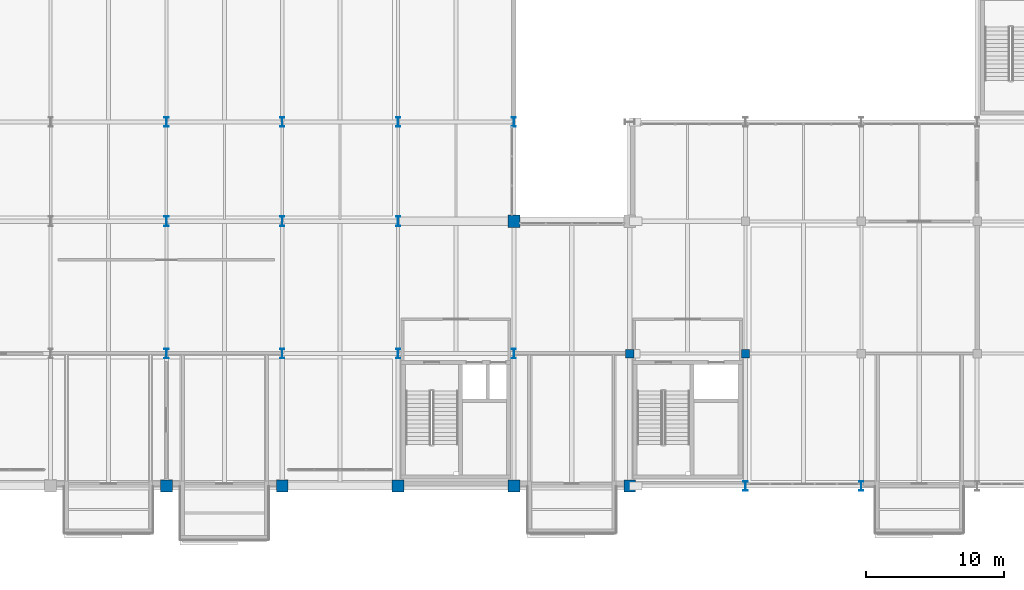
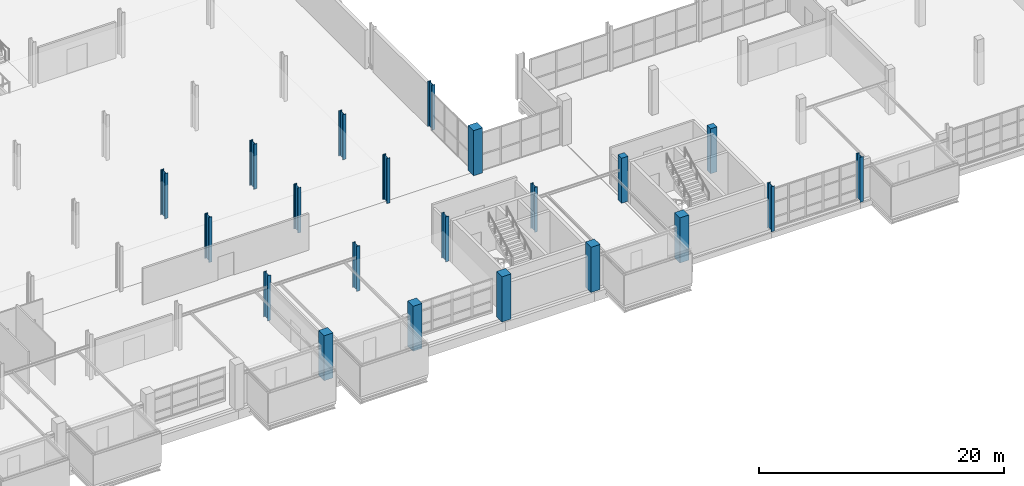
# One storey, part 5 of 113: 21 columns.
"""IFC4 building model written with IfcOpenShell, lengths in metres."""

from ifc_helpers import new_model, si_unit, direction, frame, origin, origin_2d, place, context, subcontext, project, spatial, rectangle, i_section, extrude, material, material_profile, profile_set, type_object, element, save


model = new_model("IFC4")

# Units and contexts
model_context = context("Model", 3, precision=1e-05, world=origin(), true_north=direction((0.0, 1.0)))
body_context = subcontext(model_context, "Body", "Model", "MODEL_VIEW")
ifc_project = project(units=[si_unit("LENGTHUNIT", "METRE"), si_unit("AREAUNIT", "SQUARE_METRE"), si_unit("VOLUMEUNIT", "CUBIC_METRE"), si_unit("PLANEANGLEUNIT", "RADIAN"), si_unit("MASSUNIT", "GRAM", prefix="KILO")], contexts=[model_context])

# Site, building, storey
site_placement = place(None, origin())
site = spatial("IfcSite", under=ifc_project, at=site_placement, CompositionType="ELEMENT")
building_placement = place(site_placement, origin())
building = spatial("IfcBuilding", under=site, at=building_placement, Name="Veltarok Museum of Natural Sciences", CompositionType="ELEMENT")
storey_placement = place(building_placement, frame((0.0, 0.0, 8.39990234375)))
storey = spatial("IfcBuildingStorey", under=building, at=storey_placement, Name="L01", CompositionType="ELEMENT", Elevation=8.39990234375)

# Columns
ifc_material_1 = material(Name="Concrete C40/50", Category="concrete")
ifc_material_profile_1 = material_profile(ifc_material_1, rectangle(XDim=0.60009765625, YDim=0.60009765625, at=origin_2d()), Name="RC 600x600")
ifc_profile_set_1 = profile_set([ifc_material_profile_1], Name="Concrete C40/50")
column_type_1 = type_object("IfcColumnType", Name="Conservation Wing Column RC 600x600", PredefinedType="COLUMN", material=ifc_profile_set_1)
for number, where, z_axis, x_axis, name in (
    (1, (107.199951171875, 9.60009765625, 0.0), (0.0, 0.0, 1.0), (0.0, 1.0, 0.0), "Column COL-RC02 L01 13/B"),
    (2, (115.60009765625, 9.60009765625, 0.0), (0.0, 0.0, 1.0), (1.0, 0.0, 0.0), "Column COL-RC02 L01 14/B"),
):
    element("IfcColumn", number, at=place(storey_placement, frame(where, z_axis=z_axis, x_axis=x_axis)), inside=storey, type_object=column_type_1, Name=name, PredefinedType="COLUMN", context=body_context, shape_type="SweptSolid", body=[
        extrude(rectangle(XDim=0.60009765625, YDim=0.60009765625, at=origin_2d()), origin(), (0.0, 0.0, 1.0), 4.5),
    ])
ifc_material_profile_2 = material_profile(ifc_material_1, rectangle(XDim=0.85009765625, YDim=0.89990234375, at=origin_2d()), Name="RC 850x900")
ifc_profile_set_2 = profile_set([ifc_material_profile_2], Name="Concrete C40/50")
column_type_2 = type_object("IfcColumnType", Name="Exposed Cabinet Grid Column RC 850x900", PredefinedType="COLUMN", material=ifc_profile_set_2)
for number, where, z_axis, x_axis, name in (
    (3, (73.60009765625, 0.0, 0.0), (0.0, 0.0, 1.0), (1.0, 0.0, 0.0), "Column COL-CAB01 L01 9/A"),
    (4, (82.0, 0.0, 0.0), (0.0, 0.0, 1.0), (1.0, 0.0, 0.0), "Column COL-CAB01 L01 10/A"),
    (5, (90.39990234375, 0.0, 0.0), (0.0, 0.0, 1.0), (1.0, 0.0, 0.0), "Column COL-CAB01 L01 11/A"),
    (6, (98.800048828125, 0.0, 0.0), (0.0, 0.0, 1.0), (1.0, 0.0, 0.0), "Column COL-CAB01 L01 12/A"),
    (7, (98.800048828125, 19.199951171875, 0.0), (0.0, 0.0, 1.0), (1.0, 0.0, 0.0), "Column COL-CAB01 L01 12/C"),
    (8, (107.199951171875, 0.0, 0.0), (0.0, 0.0, 1.0), (1.0, 0.0, 0.0), "Column COL-CAB01 L01 13/A"),
):
    element("IfcColumn", number, at=place(storey_placement, frame(where, z_axis=z_axis, x_axis=x_axis)), inside=storey, type_object=column_type_2, Name=name, PredefinedType="COLUMN", context=body_context, shape_type="SweptSolid", body=[
        extrude(rectangle(XDim=0.85009765625, YDim=0.89990234375, at=origin_2d()), origin(), (0.0, 0.0, 1.0), 4.5),
    ])
ifc_material_2 = material(Name="Steel S355J2", Category="steel")
ifc_material_profile_3 = material_profile(ifc_material_2, i_section(OverallWidth=0.300048828125, OverallDepth=0.699951171875, WebThickness=0.01708984375, FlangeThickness=0.031982421875, FilletRadius=0.027099609375, at=origin_2d()), Name="HEB 700")
ifc_profile_set_3 = profile_set([ifc_material_profile_3], Name="Steel S355J2")
column_type_3 = type_object("IfcColumnType", Name="Mid-Rise Frame Column HEB 700", PredefinedType="COLUMN", material=ifc_profile_set_3)
for number, where, z_axis, x_axis, name in (
    (9, (73.60009765625, 9.60009765625, 0.0), (0.0, 0.0, 1.0), (1.0, 0.0, 0.0), "Column COL-S03 L01 9/B"),
    (10, (73.60009765625, 19.199951171875, 0.0), (0.0, 0.0, 1.0), (1.0, 0.0, 0.0), "Column COL-S03 L01 9/C"),
    (11, (73.60009765625, 26.39990234375, 0.0), (0.0, 0.0, 1.0), (1.0, 0.0, 0.0), "Column COL-S03 L01 9/D"),
    (12, (82.0, 9.60009765625, 0.0), (0.0, 0.0, 1.0), (1.0, 0.0, 0.0), "Column COL-S03 L01 10/B"),
    (13, (82.0, 19.199951171875, 0.0), (0.0, 0.0, 1.0), (1.0, 0.0, 0.0), "Column COL-S03 L01 10/C"),
    (14, (82.0, 26.39990234375, 0.0), (0.0, 0.0, 1.0), (1.0, 0.0, 0.0), "Column COL-S03 L01 10/D"),
    (15, (90.39990234375, 9.60009765625, 0.0), (0.0, 0.0, 1.0), (1.0, 0.0, 0.0), "Column COL-S03 L01 11/B"),
    (16, (90.39990234375, 19.199951171875, 0.0), (0.0, 0.0, 1.0), (1.0, 0.0, 0.0), "Column COL-S03 L01 11/C"),
    (17, (90.39990234375, 26.39990234375, 0.0), (0.0, 0.0, 1.0), (1.0, 0.0, 0.0), "Column COL-S03 L01 11/D"),
    (18, (98.800048828125, 9.60009765625, 0.0), (0.0, 0.0, 1.0), (1.0, 0.0, 0.0), "Column COL-S03 L01 12/B"),
):
    element("IfcColumn", number, at=place(storey_placement, frame(where, z_axis=z_axis, x_axis=x_axis)), inside=storey, type_object=column_type_3, Name=name, PredefinedType="COLUMN", context=body_context, shape_type="SweptSolid", body=[
        extrude(i_section(OverallWidth=0.300048828125, OverallDepth=0.699951171875, WebThickness=0.01708984375, FlangeThickness=0.031982421875, FilletRadius=0.027099609375, at=origin_2d()), origin(), (0.0, 0.0, 1.0), 4.5),
    ])
ifc_material_profile_4 = material_profile(ifc_material_2, i_section(OverallWidth=0.300048828125, OverallDepth=0.699951171875, WebThickness=0.01708984375, FlangeThickness=0.031982421875, FilletRadius=0.027099609375, at=origin_2d()), Name="HEB 700")
ifc_profile_set_4 = profile_set([ifc_material_profile_4], Name="Steel S355J2")
column_type_4 = type_object("IfcColumnType", Name="Perimeter Steel Column HEB 700", PredefinedType="COLUMN", material=ifc_profile_set_4)
for number, where, z_axis, x_axis, name in (
    (19, (98.800048828125, 26.39990234375, 0.0), (0.0, 0.0, 1.0), (1.0, 0.0, 0.0), "Column COL-EXT01 L01 12/D"),
    (20, (115.60009765625, 0.0, 0.0), (0.0, 0.0, 1.0), (1.0, 0.0, 0.0), "Column COL-EXT01 L01 14/A"),
    (21, (124.0, 0.0, 0.0), (0.0, 0.0, 1.0), (1.0, 0.0, 0.0), "Column COL-EXT01 L01 15/A"),
):
    element("IfcColumn", number, at=place(storey_placement, frame(where, z_axis=z_axis, x_axis=x_axis)), inside=storey, type_object=column_type_4, Name=name, PredefinedType="COLUMN", context=body_context, shape_type="SweptSolid", body=[
        extrude(i_section(OverallWidth=0.300048828125, OverallDepth=0.699951171875, WebThickness=0.01708984375, FlangeThickness=0.031982421875, FilletRadius=0.027099609375, at=origin_2d()), origin(), (0.0, 0.0, 1.0), 4.5),
    ])

save(model, "model.ifc")
